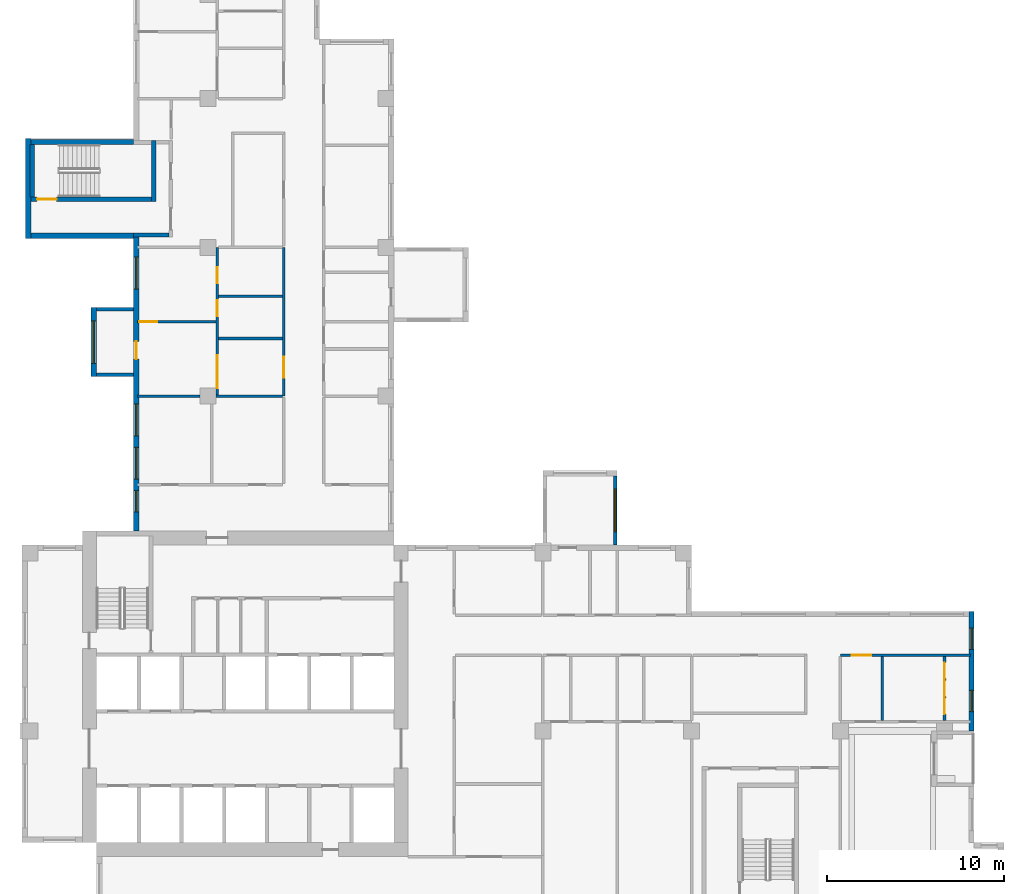
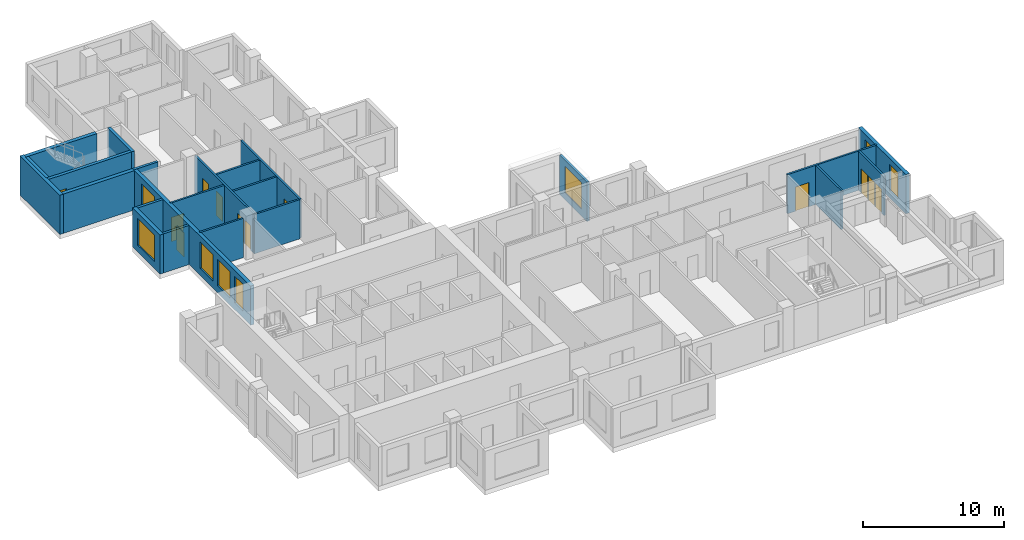
# One storey, part 6 of 12: 23 walls, 12 doors, 8 windows, 20 openings.
"""IFC4 building model written with IfcOpenShell, lengths in metres."""

from ifc_helpers import new_model, si_unit, direction, frame, frame_2d, origin, place, context, subcontext, project, spatial, rectangle, extrude, source, transform, mapped, material, layer, layer_set, type_object, element, fill, save


model = new_model("IFC4")

# Units and contexts
model_context = context("Model", 3, precision=1e-05, world=origin(), true_north=direction((0.0, 1.0)))
body_context = subcontext(model_context, "Body", "Model", "MODEL_VIEW")
ifc_project = project(units=[si_unit("LENGTHUNIT", "METRE"), si_unit("AREAUNIT", "SQUARE_METRE"), si_unit("VOLUMEUNIT", "CUBIC_METRE"), si_unit("PLANEANGLEUNIT", "RADIAN"), si_unit("MASSUNIT", "GRAM", prefix="KILO")], contexts=[model_context])

# Site, building, storey
site_placement = place(None, origin())
site = spatial("IfcSite", under=ifc_project, at=site_placement, CompositionType="ELEMENT")
building_placement = place(site_placement, origin())
building = spatial("IfcBuilding", under=site, at=building_placement, Name="Aurelian Terraces", CompositionType="ELEMENT")
storey_placement = place(building_placement, frame((0.0, 0.0, 219.6)))
storey = spatial("IfcBuildingStorey", under=building, at=storey_placement, Name="L49", CompositionType="ELEMENT", Elevation=219.6)

# Walls
ifc_material_1 = material(Name="Concrete fc' 40 MPa", Category="concrete")
ifc_layer_1 = layer(ifc_material_1, 0.3)
ifc_layer_set_1 = layer_set([ifc_layer_1], Name="STAIR BAY WALL 300")
wall_type_1 = type_object("IfcWallType", Name="STAIR BAY WALL 300", PredefinedType="SOLIDWALL", material=ifc_layer_set_1)
shared_shape_1 = source(origin(), body_context, "Body", "SweptSolid", [
    extrude(rectangle(XDim=6.1, YDim=0.3, at=frame_2d((3.05, 0.0))), origin(), (0.0, 0.0, 1.0), 3.4),
])
for number, where, z_axis, x_axis, name in (
    (1, (6.3, 43.75, 0.0), (0.0, 0.0, 1.0), (-1.0, 0.0, 0.0), "Stair bay wall L49 F13.26"),
    (2, (0.2, 38.45, 0.0), (0.0, 0.0, 1.0), (1.0, 0.0, 0.0), "Stair bay wall L49 F15.28"),
):
    element("IfcWall", number, at=place(storey_placement, frame(where, z_axis=z_axis, x_axis=x_axis)), inside=storey, type_object=wall_type_1, Name=name, PredefinedType="SOLIDWALL", context=body_context, shape_type="MappedRepresentation", body=[
        mapped(shared_shape_1, transform((0.0, 0.0, 0.0), scale=1.0)),
    ])

# Wall, opening, window
ifc_layer_2 = layer(ifc_material_1, 0.2)
ifc_layer_set_2 = layer_set([ifc_layer_2], Name="BOX BEARING WALL 200")
wall_type_2 = type_object("IfcWallType", Name="BOX BEARING WALL 200", PredefinedType="SOLIDWALL", material=ifc_layer_set_2)
shared_shape_2 = source(origin(), body_context, "Body", "SweptSolid", [
    extrude(rectangle(XDim=3.9, YDim=0.2, at=frame_2d((1.95, 0.0))), origin(), (0.0, 0.0, 1.0), 3.4),
])
wall_1_placement = place(storey_placement, frame((33.5, 21.0, 0.0), z_axis=(0.0, 0.0, 1.0), x_axis=(0.0, 1.0, 0.0)))
wall_1 = element("IfcWall", 3, at=wall_1_placement, inside=storey, type_object=wall_type_2, Name="Box return L49 J69.1", PredefinedType="SOLIDWALL", context=body_context, shape_type="MappedRepresentation", body=[
    mapped(shared_shape_2, transform((0.0, 0.0, 0.0), scale=1.0)),
])
shared_shape_3 = source(origin(), body_context, "Body", "SweptSolid", [
    extrude(rectangle(XDim=2.4, YDim=2.3, at=frame_2d((1.2, 1.15))), frame((0.0, 0.11, 0.0), z_axis=(0.0, -1.0, 0.0), x_axis=(1.0, 0.0, 0.0)), (0.0, 0.0, 1.0), 0.22),
])
opening_1_placement = place(wall_1_placement, frame((0.75, 0.0, 0.6)))
opening_1 = element("IfcOpeningElement", 4, at=opening_1_placement, cuts=wall_1, Name="Opening W2423", PredefinedType="OPENING", context=body_context, shape_type="MappedRepresentation", body=[
    mapped(shared_shape_3, transform((0.0, 0.0, 0.0), scale=1.0)),
])
ifc_material_2 = material(Name="Clear glazing", Category="glass")
window_type_1 = type_object("IfcWindowType", Name="W-2400x2300", PartitioningType="SINGLE_PANEL", PredefinedType="WINDOW", material=ifc_material_2)
shared_shape_4 = source(origin(), body_context, "Body", "SweptSolid", [
    extrude(rectangle(XDim=2.4, YDim=2.3, at=frame_2d((1.2, 1.15))), frame((0.0, 0.03, 0.0), z_axis=(0.0, -1.0, 0.0), x_axis=(1.0, 0.0, 0.0)), (0.0, 0.0, 1.0), 0.06),
])
window_1_placement = place(opening_1_placement, origin())
window_1 = element("IfcWindow", 5, at=window_1_placement, inside=storey, type_object=window_type_1, Name="Window L49 J69-S1", OverallHeight=2.3, OverallWidth=2.4, PartitioningType="SINGLE_PANEL", PredefinedType="WINDOW", context=body_context, shape_type="MappedRepresentation", body=[
    mapped(shared_shape_4, transform((0.0, 0.0, 0.0), scale=1.0)),
])
fill(opening_1, window_1)

# Wall
shared_shape_5 = source(origin(), body_context, "Body", "SweptSolid", [
    extrude(rectangle(XDim=5.65, YDim=0.3, at=frame_2d((2.825, 0.0))), origin(), (0.0, 0.0, 1.0), 3.4),
])
wall_2_placement = place(storey_placement, frame((0.35, 43.95, 0.0), z_axis=(0.0, 0.0, 1.0), x_axis=(0.0, -1.0, 0.0)))
element("IfcWall", 6, at=wall_2_placement, inside=storey, type_object=wall_type_1, Name="Stair bay wall L49 F14.27", PredefinedType="SOLIDWALL", context=body_context, shape_type="MappedRepresentation", body=[
    mapped(shared_shape_5, transform((0.0, 0.0, 0.0), scale=1.0)),
])

# Wall, openings, windows, door
ifc_material_3 = material(Name="Terracotta rainscreen cladding", Category="masonry")
ifc_layer_3 = layer(ifc_material_3, 0.3)
ifc_layer_set_3 = layer_set([ifc_layer_3], Name="EW-300")
wall_type_3 = type_object("IfcWallType", Name="EW-300", PredefinedType="STANDARD", material=ifc_layer_set_3)
shared_shape_6 = source(origin(), body_context, "Body", "SweptSolid", [
    extrude(rectangle(XDim=16.6, YDim=0.3, at=frame_2d((8.3, 0.0))), origin(), (0.0, 0.0, 1.0), 3.4),
])
wall_3_placement = place(storey_placement, frame((6.45, 38.4, 0.0), z_axis=(0.0, 0.0, 1.0), x_axis=(0.0, -1.0, 0.0)))
wall_3 = element("IfcWall", 7, at=wall_3_placement, inside=storey, type_object=wall_type_3, Name="External wall L49 F16.29", PredefinedType="STANDARD", context=body_context, shape_type="MappedRepresentation", body=[
    mapped(shared_shape_6, transform((0.0, 0.0, 0.0), scale=1.0)),
])
shared_shape_7 = source(origin(), body_context, "Body", "SweptSolid", [
    extrude(rectangle(XDim=1.8, YDim=2.3, at=frame_2d((0.9, 1.15))), frame((0.0, 0.16, 0.0), z_axis=(0.0, -1.0, 0.0), x_axis=(1.0, 0.0, 0.0)), (0.0, 0.0, 1.0), 0.32),
])
opening_2_placement = place(wall_3_placement, frame((1.15, 0.0, 0.6)))
opening_2 = element("IfcOpeningElement", 8, at=opening_2_placement, cuts=wall_3, Name="Opening W1823", PredefinedType="OPENING", context=body_context, shape_type="MappedRepresentation", body=[
    mapped(shared_shape_7, transform((0.0, 0.0, 0.0), scale=1.0)),
])
opening_3_placement = place(wall_3_placement, frame((9.4375, 0.0, 0.6)))
opening_3 = element("IfcOpeningElement", 9, at=opening_3_placement, cuts=wall_3, Name="Opening W1823", PredefinedType="OPENING", context=body_context, shape_type="MappedRepresentation", body=[
    mapped(shared_shape_7, transform((0.0, 0.0, 0.0), scale=1.0)),
])
shared_shape_8 = source(origin(), body_context, "Body", "SweptSolid", [
    extrude(rectangle(XDim=1.2, YDim=2.3, at=frame_2d((0.6, 1.15))), frame((0.0, 0.16, 0.0), z_axis=(0.0, -1.0, 0.0), x_axis=(1.0, 0.0, 0.0)), (0.0, 0.0, 1.0), 0.32),
])
opening_4_placement = place(wall_3_placement, frame((14.3375, 0.0, 0.6)))
opening_4 = element("IfcOpeningElement", 10, at=opening_4_placement, cuts=wall_3, Name="Opening W1223", PredefinedType="OPENING", context=body_context, shape_type="MappedRepresentation", body=[
    mapped(shared_shape_8, transform((0.0, 0.0, 0.0), scale=1.0)),
])
opening_5_placement = place(wall_3_placement, frame((11.8875, 0.0, 0.6)))
opening_5 = element("IfcOpeningElement", 11, at=opening_5_placement, cuts=wall_3, Name="Opening W1823", PredefinedType="OPENING", context=body_context, shape_type="MappedRepresentation", body=[
    mapped(shared_shape_7, transform((0.0, 0.0, 0.0), scale=1.0)),
])
shared_shape_9 = source(origin(), body_context, "Body", "SweptSolid", [
    extrude(rectangle(XDim=1.0, YDim=2.1, at=frame_2d((0.5, 1.05))), frame((0.0, 0.16, 0.0), z_axis=(0.0, -1.0, 0.0), x_axis=(1.0, 0.0, 0.0)), (0.0, 0.0, 1.0), 0.32),
])
opening_6_placement = place(wall_3_placement, frame((5.9083, 0.0, 0.0)))
opening_6 = element("IfcOpeningElement", 12, at=opening_6_placement, cuts=wall_3, Name="Opening 849005", PredefinedType="OPENING", context=body_context, shape_type="MappedRepresentation", body=[
    mapped(shared_shape_9, transform((0.0, 0.0, 0.0), scale=1.0)),
])
window_type_2 = type_object("IfcWindowType", Name="W-1200x2300", PartitioningType="SINGLE_PANEL", PredefinedType="WINDOW", material=ifc_material_2)
shared_shape_10 = source(origin(), body_context, "Body", "SweptSolid", [
    extrude(rectangle(XDim=1.2, YDim=2.3, at=frame_2d((0.6, 1.15))), frame((0.0, 0.03, 0.0), z_axis=(0.0, -1.0, 0.0), x_axis=(1.0, 0.0, 0.0)), (0.0, 0.0, 1.0), 0.06),
])
window_2_placement = place(opening_4_placement, origin())
window_2 = element("IfcWindow", 13, at=window_2_placement, inside=storey, type_object=window_type_2, Name="Window L49 L49-F16-29-3", OverallHeight=2.3, OverallWidth=1.2, PartitioningType="SINGLE_PANEL", PredefinedType="WINDOW", context=body_context, shape_type="MappedRepresentation", body=[
    mapped(shared_shape_10, transform((0.0, 0.0, 0.0), scale=1.0)),
])
fill(opening_4, window_2)
window_type_3 = type_object("IfcWindowType", Name="W-1800x2300", PartitioningType="SINGLE_PANEL", PredefinedType="WINDOW", material=ifc_material_2)
shared_shape_11 = source(origin(), body_context, "Body", "SweptSolid", [
    extrude(rectangle(XDim=1.8, YDim=2.3, at=frame_2d((0.9, 1.15))), frame((0.0, 0.03, 0.0), z_axis=(0.0, -1.0, 0.0), x_axis=(1.0, 0.0, 0.0)), (0.0, 0.0, 1.0), 0.06),
])
window_3_placement = place(opening_2_placement, origin())
window_3 = element("IfcWindow", 14, at=window_3_placement, inside=storey, type_object=window_type_3, Name="Window L49 L49-F16-29-0", OverallHeight=2.3, OverallWidth=1.8, PartitioningType="SINGLE_PANEL", PredefinedType="WINDOW", context=body_context, shape_type="MappedRepresentation", body=[
    mapped(shared_shape_11, transform((0.0, 0.0, 0.0), scale=1.0)),
])
fill(opening_2, window_3)
window_4_placement = place(opening_3_placement, origin())
window_4 = element("IfcWindow", 15, at=window_4_placement, inside=storey, type_object=window_type_3, Name="Window L49 L49-F16-29-2", OverallHeight=2.3, OverallWidth=1.8, PartitioningType="SINGLE_PANEL", PredefinedType="WINDOW", context=body_context, shape_type="MappedRepresentation", body=[
    mapped(shared_shape_11, transform((0.0, 0.0, 0.0), scale=1.0)),
])
fill(opening_3, window_4)
window_5_placement = place(opening_5_placement, origin())
window_5 = element("IfcWindow", 16, at=window_5_placement, inside=storey, type_object=window_type_3, Name="Window L49 L49-F16-29-G0-111", OverallHeight=2.3, OverallWidth=1.8, PartitioningType="SINGLE_PANEL", PredefinedType="WINDOW", context=body_context, shape_type="MappedRepresentation", body=[
    mapped(shared_shape_11, transform((0.0, 0.0, 0.0), scale=1.0)),
])
fill(opening_5, window_5)
ifc_material_4 = material(Name="Timber door leaf", Category="wood")
door_type_1 = type_object("IfcDoorType", Name="Room door 1000x2100 left", OperationType="SINGLE_SWING_LEFT", PredefinedType="DOOR", material=ifc_material_4)
shared_shape_12 = source(origin(), body_context, "Body", "SweptSolid", [
    extrude(rectangle(XDim=1.0, YDim=2.1, at=frame_2d((0.5, 1.05))), frame((0.0, 0.025, 0.0), z_axis=(0.0, -1.0, 0.0), x_axis=(1.0, 0.0, 0.0)), (0.0, 0.0, 1.0), 0.05),
])
door_1_placement = place(opening_6_placement, origin())
door_1 = element("IfcDoor", 17, at=door_1_placement, inside=storey, type_object=door_type_1, Name="Door 849005", OperationType="SINGLE_SWING_LEFT", OverallHeight=2.1, OverallWidth=1.0, PredefinedType="DOOR", context=body_context, shape_type="MappedRepresentation", body=[
    mapped(shared_shape_12, transform((0.0, 0.0, 0.0), scale=1.0)),
])
fill(opening_6, door_1)

# Walls
shared_shape_13 = source(origin(), body_context, "Body", "SweptSolid", [
    extrude(rectangle(XDim=2.1, YDim=0.2, at=frame_2d((1.05, 0.0))), origin(), (0.0, 0.0, 1.0), 3.39),
])
for number, where, z_axis, x_axis, name in (
    (18, (6.3, 34.3, 0.0), (0.0, 0.0, 1.0), (-1.0, 0.0, 0.0), "Box return L49 J73.1"),
    (19, (6.3, 30.6, 0.0), (0.0, 0.0, 1.0), (-1.0, 0.0, 0.0), "Box return L49 J73.2"),
):
    element("IfcWall", number, at=place(storey_placement, frame(where, z_axis=z_axis, x_axis=x_axis)), inside=storey, type_object=wall_type_2, Name=name, PredefinedType="SOLIDWALL", context=body_context, shape_type="MappedRepresentation", body=[
        mapped(shared_shape_13, transform((0.0, 0.0, 0.0), scale=1.0)),
    ])

# Wall, openings, windows
shared_shape_14 = source(origin(), body_context, "Body", "SweptSolid", [
    extrude(rectangle(XDim=6.75, YDim=0.3, at=frame_2d((3.375, 0.0))), origin(), (0.0, 0.0, 1.0), 3.4),
])
wall_4_placement = place(storey_placement, frame((53.61, 10.5, 0.0), z_axis=(0.0, 0.0, 1.0), x_axis=(0.0, 1.0, 0.0)))
wall_4 = element("IfcWall", 20, at=wall_4_placement, inside=storey, type_object=wall_type_3, Name="External wall L49 F04.12", PredefinedType="STANDARD", context=body_context, shape_type="MappedRepresentation", body=[
    mapped(shared_shape_14, transform((0.0, 0.0, 0.0), scale=1.0)),
])
opening_7_placement = place(wall_4_placement, frame((1.0875, 0.0, 0.6)))
opening_7 = element("IfcOpeningElement", 21, at=opening_7_placement, cuts=wall_4, Name="Opening W1223", PredefinedType="OPENING", context=body_context, shape_type="MappedRepresentation", body=[
    mapped(shared_shape_8, transform((0.0, 0.0, 0.0), scale=1.0)),
])
opening_8_placement = place(wall_4_placement, frame((4.6063, 0.0, 0.6)))
opening_8 = element("IfcOpeningElement", 22, at=opening_8_placement, cuts=wall_4, Name="Opening W1223", PredefinedType="OPENING", context=body_context, shape_type="MappedRepresentation", body=[
    mapped(shared_shape_8, transform((0.0, 0.0, 0.0), scale=1.0)),
])
window_6_placement = place(opening_7_placement, origin())
window_6 = element("IfcWindow", 23, at=window_6_placement, inside=storey, type_object=window_type_2, Name="Window L49 L49-F04-12-0", OverallHeight=2.3, OverallWidth=1.2, PartitioningType="SINGLE_PANEL", PredefinedType="WINDOW", context=body_context, shape_type="MappedRepresentation", body=[
    mapped(shared_shape_10, transform((0.0, 0.0, 0.0), scale=1.0)),
])
fill(opening_7, window_6)
window_7_placement = place(opening_8_placement, origin())
window_7 = element("IfcWindow", 24, at=window_7_placement, inside=storey, type_object=window_type_2, Name="Window L49 L49-F04-12-1", OverallHeight=2.3, OverallWidth=1.2, PartitioningType="SINGLE_PANEL", PredefinedType="WINDOW", context=body_context, shape_type="MappedRepresentation", body=[
    mapped(shared_shape_10, transform((0.0, 0.0, 0.0), scale=1.0)),
])
fill(opening_8, window_7)

# Wall, opening, window
ifc_layer_4 = layer(ifc_material_1, 0.3)
ifc_layer_set_4 = layer_set([ifc_layer_4], Name="BOX BEARING WALL 300")
wall_type_4 = type_object("IfcWallType", Name="BOX BEARING WALL 300", PredefinedType="SOLIDWALL", material=ifc_layer_set_4)
shared_shape_15 = source(origin(), body_context, "Body", "SweptSolid", [
    extrude(rectangle(XDim=3.9, YDim=0.3, at=frame_2d((1.95, 0.0))), origin(), (0.0, 0.0, 1.0), 3.39),
])
wall_5_placement = place(storey_placement, frame((4.05, 34.4, 0.0), z_axis=(0.0, 0.0, 1.0), x_axis=(0.0, -1.0, 0.0)))
wall_5 = element("IfcWall", 25, at=wall_5_placement, inside=storey, type_object=wall_type_4, Name="Box wall L49 J73", PredefinedType="SOLIDWALL", context=body_context, shape_type="MappedRepresentation", body=[
    mapped(shared_shape_15, transform((0.0, 0.0, 0.0), scale=1.0)),
])
shared_shape_16 = source(origin(), body_context, "Body", "SweptSolid", [
    extrude(rectangle(XDim=2.4, YDim=2.3, at=frame_2d((1.2, 1.15))), frame((0.0, 0.16, 0.0), z_axis=(0.0, -1.0, 0.0), x_axis=(1.0, 0.0, 0.0)), (0.0, 0.0, 1.0), 0.32),
])
opening_9_placement = place(wall_5_placement, frame((0.75, 0.0, 0.6)))
opening_9 = element("IfcOpeningElement", 26, at=opening_9_placement, cuts=wall_5, Name="Opening W2423", PredefinedType="OPENING", context=body_context, shape_type="MappedRepresentation", body=[
    mapped(shared_shape_16, transform((0.0, 0.0, 0.0), scale=1.0)),
])
window_8_placement = place(opening_9_placement, origin())
window_8 = element("IfcWindow", 27, at=window_8_placement, inside=storey, type_object=window_type_1, Name="Window L49 J73-F1", OverallHeight=2.3, OverallWidth=2.4, PartitioningType="SINGLE_PANEL", PredefinedType="WINDOW", context=body_context, shape_type="MappedRepresentation", body=[
    mapped(shared_shape_4, transform((0.0, 0.0, 0.0), scale=1.0)),
])
fill(opening_9, window_8)

# Wall, opening, door
ifc_layer_5 = layer(ifc_material_1, 0.25)
ifc_layer_set_5 = layer_set([ifc_layer_5], Name="Stair enclosure wall 250")
wall_type_5 = type_object("IfcWallType", Name="Stair enclosure wall 250", PredefinedType="SOLIDWALL", material=ifc_layer_set_5)
shared_shape_17 = source(origin(), body_context, "Body", "SweptSolid", [
    extrude(rectangle(XDim=7.0, YDim=0.25, at=frame_2d((3.5, 0.0))), origin(), (0.0, 0.0, 1.0), 3.4),
])
wall_6_placement = place(storey_placement, frame((0.3, 40.525, 0.0), z_axis=(0.0, 0.0, 1.0), x_axis=(1.0, 0.0, 0.0)))
wall_6 = element("IfcWall", 28, at=wall_6_placement, inside=storey, type_object=wall_type_5, Name="L49 core wall ST-S3-W", PredefinedType="SOLIDWALL", context=body_context, shape_type="MappedRepresentation", body=[
    mapped(shared_shape_17, transform((0.0, 0.0, 0.0), scale=1.0)),
])
shared_shape_18 = source(origin(), body_context, "Body", "SweptSolid", [
    extrude(rectangle(XDim=1.1, YDim=2.1, at=frame_2d((0.55, 1.05))), frame((0.0, 0.135, 0.0), z_axis=(0.0, -1.0, 0.0), x_axis=(1.0, 0.0, 0.0)), (0.0, 0.0, 1.0), 0.27),
])
opening_10_placement = place(wall_6_placement, frame((0.55, 0.0, 0.0)))
opening_10 = element("IfcOpeningElement", 29, at=opening_10_placement, cuts=wall_6, Name="Opening 65220", PredefinedType="OPENING", context=body_context, shape_type="MappedRepresentation", body=[
    mapped(shared_shape_18, transform((0.0, 0.0, 0.0), scale=1.0)),
])
ifc_material_5 = material(Name="Steel door leaf", Category="steel")
door_type_2 = type_object("IfcDoorType", Name="Core fire door 1100x2100", OperationType="SINGLE_SWING_LEFT", PredefinedType="DOOR", material=ifc_material_5)
shared_shape_19 = source(origin(), body_context, "Body", "SweptSolid", [
    extrude(rectangle(XDim=1.1, YDim=2.1, at=frame_2d((0.55, 1.05))), frame((0.0, 0.025, 0.0), z_axis=(0.0, -1.0, 0.0), x_axis=(1.0, 0.0, 0.0)), (0.0, 0.0, 1.0), 0.05),
])
door_2_placement = place(opening_10_placement, origin())
door_2 = element("IfcDoor", 30, at=door_2_placement, inside=storey, type_object=door_type_2, Name="Stair door 65220", OperationType="SINGLE_SWING_LEFT", OverallHeight=2.1, OverallWidth=1.1, PredefinedType="DOOR", context=body_context, shape_type="MappedRepresentation", body=[
    mapped(shared_shape_19, transform((0.0, 0.0, 0.0), scale=1.0)),
])
fill(opening_10, door_2)

# Walls
shared_shape_20 = source(origin(), body_context, "Body", "SweptSolid", [
    extrude(rectangle(XDim=3.45, YDim=0.25, at=frame_2d((1.725, 0.0))), origin(), (0.0, 0.0, 1.0), 3.4),
])
wall_7_placement = place(storey_placement, frame((7.425, 40.4, 0.0), z_axis=(0.0, 0.0, 1.0), x_axis=(0.0, 1.0, 0.0)))
element("IfcWall", 31, at=wall_7_placement, inside=storey, type_object=wall_type_5, Name="L49 core wall ST-S3-N", PredefinedType="SOLIDWALL", context=body_context, shape_type="MappedRepresentation", body=[
    mapped(shared_shape_20, transform((0.0, 0.0, 0.0), scale=1.0)),
])
shared_shape_21 = source(origin(), body_context, "Body", "SweptSolid", [
    extrude(rectangle(XDim=2.95, YDim=0.25, at=frame_2d((1.475, 0.0))), origin(), (0.0, 0.0, 1.0), 3.4),
])
wall_8_placement = place(storey_placement, frame((0.575, 40.65, 0.0), z_axis=(0.0, 0.0, 1.0), x_axis=(0.0, 1.0, 0.0)))
element("IfcWall", 32, at=wall_8_placement, inside=storey, type_object=wall_type_5, Name="L49 core wall ST-S3-SS", PredefinedType="SOLIDWALL", context=body_context, shape_type="MappedRepresentation", body=[
    mapped(shared_shape_21, transform((0.0, 0.0, 0.0), scale=1.0)),
])
ifc_material_6 = material(Name="Gypsum board on steel studs", Category="steel")
ifc_layer_6 = layer(ifc_material_6, 0.2)
ifc_layer_set_6 = layer_set([ifc_layer_6], Name="Core partition 200")
wall_type_6 = type_object("IfcWallType", Name="Core partition 200", PredefinedType="PARTITIONING", material=ifc_layer_set_6)
shared_shape_22 = source(origin(), body_context, "Body", "SweptSolid", [
    extrude(rectangle(XDim=2.0, YDim=0.2, at=frame_2d((1.0, 0.0))), origin(), (0.0, 0.0, 1.0), 3.4),
])
wall_9_placement = place(storey_placement, frame((6.3, 38.5, 0.0), z_axis=(0.0, 0.0, 1.0), x_axis=(1.0, 0.0, 0.0)))
element("IfcWall", 33, at=wall_9_placement, inside=storey, type_object=wall_type_6, Name="L49 core wall ST-S3-VW", PredefinedType="PARTITIONING", context=body_context, shape_type="MappedRepresentation", body=[
    mapped(shared_shape_22, transform((0.0, 0.0, 0.0), scale=1.0)),
])
ifc_layer_7 = layer(ifc_material_6, 0.15)
ifc_layer_set_7 = layer_set([ifc_layer_7], Name="Partition 150")
wall_type_7 = type_object("IfcWallType", Name="Partition 150", PredefinedType="PARTITIONING", material=ifc_layer_set_7)
shared_shape_23 = source(origin(), body_context, "Body", "SweptSolid", [
    extrude(rectangle(XDim=3.6, YDim=0.15, at=frame_2d((1.8, 0.0))), origin(), (0.0, 0.0, 1.0), 3.4),
])
wall_10_placement = place(storey_placement, frame((48.5744, 11.1, 0.0), z_axis=(0.0, 0.0, 1.0), x_axis=(0.0, 1.0, 0.0)))
element("IfcWall", 34, at=wall_10_placement, inside=storey, type_object=wall_type_7, Name="Partition", PredefinedType="PARTITIONING", context=body_context, shape_type="MappedRepresentation", body=[
    mapped(shared_shape_23, transform((0.0, 0.0, 0.0), scale=1.0)),
])

# Wall, openings, doors
wall_11_placement = place(storey_placement, frame((52.08, 11.1, 0.0), z_axis=(0.0, 0.0, 1.0), x_axis=(0.0, 1.0, 0.0)))
wall_11 = element("IfcWall", 35, at=wall_11_placement, inside=storey, type_object=wall_type_7, Name="Partition", PredefinedType="PARTITIONING", context=body_context, shape_type="MappedRepresentation", body=[
    mapped(shared_shape_23, transform((0.0, 0.0, 0.0), scale=1.0)),
])
shared_shape_24 = source(origin(), body_context, "Body", "SweptSolid", [
    extrude(rectangle(XDim=0.9, YDim=2.1, at=frame_2d((0.45, 1.05))), frame((0.0, 0.085, 0.0), z_axis=(0.0, -1.0, 0.0), x_axis=(1.0, 0.0, 0.0)), (0.0, 0.0, 1.0), 0.17),
])
opening_11_placement = place(wall_11_placement, frame((1.35, 0.0, 0.0)))
opening_11 = element("IfcOpeningElement", 36, at=opening_11_placement, cuts=wall_11, Name="Opening 749042", PredefinedType="OPENING", context=body_context, shape_type="MappedRepresentation", body=[
    mapped(shared_shape_24, transform((0.0, 0.0, 0.0), scale=1.0)),
])
opening_12_placement = place(wall_11_placement, frame((2.35, 0.0, 0.0)))
opening_12 = element("IfcOpeningElement", 37, at=opening_12_placement, cuts=wall_11, Name="Opening 749044", PredefinedType="OPENING", context=body_context, shape_type="MappedRepresentation", body=[
    mapped(shared_shape_24, transform((0.0, 0.0, 0.0), scale=1.0)),
])
opening_13_placement = place(wall_11_placement, frame((0.35, 0.0, 0.0)))
opening_13 = element("IfcOpeningElement", 38, at=opening_13_placement, cuts=wall_11, Name="Opening 749046", PredefinedType="OPENING", context=body_context, shape_type="MappedRepresentation", body=[
    mapped(shared_shape_24, transform((0.0, 0.0, 0.0), scale=1.0)),
])
door_type_3 = type_object("IfcDoorType", Name="Room door 900x2100 left", OperationType="SINGLE_SWING_LEFT", PredefinedType="DOOR", material=ifc_material_4)
shared_shape_25 = source(origin(), body_context, "Body", "SweptSolid", [
    extrude(rectangle(XDim=0.9, YDim=2.1, at=frame_2d((0.45, 1.05))), frame((0.0, 0.025, 0.0), z_axis=(0.0, -1.0, 0.0), x_axis=(1.0, 0.0, 0.0)), (0.0, 0.0, 1.0), 0.05),
])
door_3_placement = place(opening_11_placement, origin())
door_3 = element("IfcDoor", 39, at=door_3_placement, inside=storey, type_object=door_type_3, Name="Door 749042", OperationType="SINGLE_SWING_LEFT", OverallHeight=2.1, OverallWidth=0.9, PredefinedType="DOOR", context=body_context, shape_type="MappedRepresentation", body=[
    mapped(shared_shape_25, transform((0.0, 0.0, 0.0), scale=1.0)),
])
fill(opening_11, door_3)
door_type_4 = type_object("IfcDoorType", Name="Entrance fire door 900x2100 left", OperationType="SINGLE_SWING_LEFT", PredefinedType="DOOR", material=ifc_material_5)
door_4_placement = place(opening_12_placement, origin())
door_4 = element("IfcDoor", 40, at=door_4_placement, inside=storey, type_object=door_type_4, Name="Door 749044", OperationType="SINGLE_SWING_LEFT", OverallHeight=2.1, OverallWidth=0.9, PredefinedType="DOOR", context=body_context, shape_type="MappedRepresentation", body=[
    mapped(shared_shape_25, transform((0.0, 0.0, 0.0), scale=1.0)),
])
fill(opening_12, door_4)
door_5_placement = place(opening_13_placement, origin())
door_5 = element("IfcDoor", 41, at=door_5_placement, inside=storey, type_object=door_type_4, Name="Door 749046", OperationType="SINGLE_SWING_LEFT", OverallHeight=2.1, OverallWidth=0.9, PredefinedType="DOOR", context=body_context, shape_type="MappedRepresentation", body=[
    mapped(shared_shape_25, transform((0.0, 0.0, 0.0), scale=1.0)),
])
fill(opening_13, door_5)

# Walls
for number, where, z_axis, x_axis, name in (
    (42, (14.7, 32.6603, 0.0), (0.0, 0.0, 1.0), (-1.0, 0.0, 0.0), "Partition"),
    (43, (14.7, 35.0493, 0.0), (0.0, 0.0, 1.0), (-1.0, 0.0, 0.0), "Partition"),
):
    element("IfcWall", number, at=place(storey_placement, frame(where, z_axis=z_axis, x_axis=x_axis)), inside=storey, type_object=wall_type_7, Name=name, PredefinedType="PARTITIONING", context=body_context, shape_type="MappedRepresentation", body=[
        mapped(shared_shape_23, transform((0.0, 0.0, 0.0), scale=1.0)),
    ])

# Wall, openings, doors
shared_shape_26 = source(origin(), body_context, "Body", "SweptSolid", [
    extrude(rectangle(XDim=8.4, YDim=0.15, at=frame_2d((4.2, 0.0))), origin(), (0.0, 0.0, 1.0), 3.4),
])
wall_12_placement = place(storey_placement, frame((11.025, 29.4, 0.0), z_axis=(0.0, 0.0, 1.0), x_axis=(0.0, 1.0, 0.0)))
wall_12 = element("IfcWall", 44, at=wall_12_placement, inside=storey, type_object=wall_type_7, Name="Partition", PredefinedType="PARTITIONING", context=body_context, shape_type="MappedRepresentation", body=[
    mapped(shared_shape_26, transform((0.0, 0.0, 0.0), scale=1.0)),
])
opening_14_placement = place(wall_12_placement, frame((1.418, 0.0, 0.0)))
opening_14 = element("IfcOpeningElement", 45, at=opening_14_placement, cuts=wall_12, Name="Opening 749025", PredefinedType="OPENING", context=body_context, shape_type="MappedRepresentation", body=[
    mapped(shared_shape_24, transform((0.0, 0.0, 0.0), scale=1.0)),
])
opening_15_placement = place(wall_12_placement, frame((0.46, 0.0, 0.0)))
opening_15 = element("IfcOpeningElement", 46, at=opening_15_placement, cuts=wall_12, Name="Opening 749026", PredefinedType="OPENING", context=body_context, shape_type="MappedRepresentation", body=[
    mapped(shared_shape_24, transform((0.0, 0.0, 0.0), scale=1.0)),
])
opening_16_placement = place(wall_12_placement, frame((4.5247, 0.0, 0.0)))
opening_16 = element("IfcOpeningElement", 47, at=opening_16_placement, cuts=wall_12, Name="Opening 749028", PredefinedType="OPENING", context=body_context, shape_type="MappedRepresentation", body=[
    mapped(shared_shape_24, transform((0.0, 0.0, 0.0), scale=1.0)),
])
opening_17_placement = place(wall_12_placement, frame((6.3872, 0.0, 0.0)))
opening_17 = element("IfcOpeningElement", 48, at=opening_17_placement, cuts=wall_12, Name="Opening 749029", PredefinedType="OPENING", context=body_context, shape_type="MappedRepresentation", body=[
    mapped(shared_shape_24, transform((0.0, 0.0, 0.0), scale=1.0)),
])
door_type_5 = type_object("IfcDoorType", Name="Room door 900x2100 right", OperationType="SINGLE_SWING_RIGHT", PredefinedType="DOOR", material=ifc_material_4)
door_6_placement = place(opening_14_placement, origin())
door_6 = element("IfcDoor", 49, at=door_6_placement, inside=storey, type_object=door_type_5, Name="Door 749025", OperationType="SINGLE_SWING_RIGHT", OverallHeight=2.1, OverallWidth=0.9, PredefinedType="DOOR", context=body_context, shape_type="MappedRepresentation", body=[
    mapped(shared_shape_25, transform((0.0, 0.0, 0.0), scale=1.0)),
])
fill(opening_14, door_6)
door_7_placement = place(opening_15_placement, origin())
door_7 = element("IfcDoor", 50, at=door_7_placement, inside=storey, type_object=door_type_3, Name="Door 749026", OperationType="SINGLE_SWING_LEFT", OverallHeight=2.1, OverallWidth=0.9, PredefinedType="DOOR", context=body_context, shape_type="MappedRepresentation", body=[
    mapped(shared_shape_25, transform((0.0, 0.0, 0.0), scale=1.0)),
])
fill(opening_15, door_7)
door_8_placement = place(opening_16_placement, origin())
door_8 = element("IfcDoor", 51, at=door_8_placement, inside=storey, type_object=door_type_3, Name="Door 749028", OperationType="SINGLE_SWING_LEFT", OverallHeight=2.1, OverallWidth=0.9, PredefinedType="DOOR", context=body_context, shape_type="MappedRepresentation", body=[
    mapped(shared_shape_25, transform((0.0, 0.0, 0.0), scale=1.0)),
])
fill(opening_16, door_8)
door_9_placement = place(opening_17_placement, origin())
door_9 = element("IfcDoor", 52, at=door_9_placement, inside=storey, type_object=door_type_5, Name="Door 749029", OperationType="SINGLE_SWING_RIGHT", OverallHeight=2.1, OverallWidth=0.9, PredefinedType="DOOR", context=body_context, shape_type="MappedRepresentation", body=[
    mapped(shared_shape_25, transform((0.0, 0.0, 0.0), scale=1.0)),
])
fill(opening_17, door_9)

# Wall, opening, door
ifc_layer_8 = layer(ifc_material_6, 0.15)
ifc_layer_set_8 = layer_set([ifc_layer_8], Name="Fire partition 150")
wall_type_8 = type_object("IfcWallType", Name="Fire partition 150", PredefinedType="PARTITIONING", material=ifc_layer_set_8)
wall_13_placement = place(storey_placement, frame((14.775, 29.4, 0.0), z_axis=(0.0, 0.0, 1.0), x_axis=(0.0, 1.0, 0.0)))
wall_13 = element("IfcWall", 53, at=wall_13_placement, inside=storey, type_object=wall_type_8, Name="Corridor wall", PredefinedType="PARTITIONING", context=body_context, shape_type="MappedRepresentation", body=[
    mapped(shared_shape_26, transform((0.0, 0.0, 0.0), scale=1.0)),
])
shared_shape_27 = source(origin(), body_context, "Body", "SweptSolid", [
    extrude(rectangle(XDim=1.2, YDim=2.1, at=frame_2d((0.6, 1.05))), frame((0.0, 0.085, 0.0), z_axis=(0.0, -1.0, 0.0), x_axis=(1.0, 0.0, 0.0)), (0.0, 0.0, 1.0), 0.17),
])
opening_18_placement = place(wall_13_placement, frame((1.0302, 0.0, 0.0)))
opening_18 = element("IfcOpeningElement", 54, at=opening_18_placement, cuts=wall_13, Name="Opening 749024", PredefinedType="OPENING", context=body_context, shape_type="MappedRepresentation", body=[
    mapped(shared_shape_27, transform((0.0, 0.0, 0.0), scale=1.0)),
])
door_type_6 = type_object("IfcDoorType", Name="Entrance fire door 1200x2100 left", OperationType="SINGLE_SWING_LEFT", PredefinedType="DOOR", material=ifc_material_5)
shared_shape_28 = source(origin(), body_context, "Body", "SweptSolid", [
    extrude(rectangle(XDim=1.2, YDim=2.1, at=frame_2d((0.6, 1.05))), frame((0.0, 0.025, 0.0), z_axis=(0.0, -1.0, 0.0), x_axis=(1.0, 0.0, 0.0)), (0.0, 0.0, 1.0), 0.05),
])
door_10_placement = place(opening_18_placement, origin())
door_10 = element("IfcDoor", 55, at=door_10_placement, inside=storey, type_object=door_type_6, Name="Door 749024", OperationType="SINGLE_SWING_LEFT", OverallHeight=2.1, OverallWidth=1.2, PredefinedType="DOOR", context=body_context, shape_type="MappedRepresentation", body=[
    mapped(shared_shape_28, transform((0.0, 0.0, 0.0), scale=1.0)),
])
fill(opening_18, door_10)

# Wall
shared_shape_29 = source(origin(), body_context, "Body", "SweptSolid", [
    extrude(rectangle(XDim=3.546, YDim=0.15, at=frame_2d((1.773, 0.0))), origin(), (0.0, 0.0, 1.0), 3.4),
])
wall_14_placement = place(storey_placement, frame((10.051, 29.4, 0.0), z_axis=(0.0, 0.0, 1.0), x_axis=(-1.0, 0.0, 0.0)))
element("IfcWall", 56, at=wall_14_placement, inside=storey, type_object=wall_type_7, Name="Partition", PredefinedType="PARTITIONING", context=body_context, shape_type="MappedRepresentation", body=[
    mapped(shared_shape_29, transform((0.0, 0.0, 0.0), scale=1.0)),
])

# Wall, opening, door
shared_shape_30 = source(origin(), body_context, "Body", "SweptSolid", [
    extrude(rectangle(XDim=4.445, YDim=0.15, at=frame_2d((2.2225, 0.0))), origin(), (0.0, 0.0, 1.0), 3.4),
])
wall_15_placement = place(storey_placement, frame((10.95, 33.6, 0.0), z_axis=(0.0, 0.0, 1.0), x_axis=(-1.0, 0.0, 0.0)))
wall_15 = element("IfcWall", 57, at=wall_15_placement, inside=storey, type_object=wall_type_7, Name="Partition", PredefinedType="PARTITIONING", context=body_context, shape_type="MappedRepresentation", body=[
    mapped(shared_shape_30, transform((0.0, 0.0, 0.0), scale=1.0)),
])
shared_shape_31 = source(origin(), body_context, "Body", "SweptSolid", [
    extrude(rectangle(XDim=1.0, YDim=2.1, at=frame_2d((0.5, 1.05))), frame((0.0, 0.085, 0.0), z_axis=(0.0, -1.0, 0.0), x_axis=(1.0, 0.0, 0.0)), (0.0, 0.0, 1.0), 0.17),
])
opening_19_placement = place(wall_15_placement, frame((3.325, 0.0, 0.0)))
opening_19 = element("IfcOpeningElement", 58, at=opening_19_placement, cuts=wall_15, Name="Opening 749027", PredefinedType="OPENING", context=body_context, shape_type="MappedRepresentation", body=[
    mapped(shared_shape_31, transform((0.0, 0.0, 0.0), scale=1.0)),
])
door_type_7 = type_object("IfcDoorType", Name="Room door 1000x2100 right", OperationType="SINGLE_SWING_RIGHT", PredefinedType="DOOR", material=ifc_material_4)
door_11_placement = place(opening_19_placement, origin())
door_11 = element("IfcDoor", 59, at=door_11_placement, inside=storey, type_object=door_type_7, Name="Door 749027", OperationType="SINGLE_SWING_RIGHT", OverallHeight=2.1, OverallWidth=1.0, PredefinedType="DOOR", context=body_context, shape_type="MappedRepresentation", body=[
    mapped(shared_shape_12, transform((0.0, 0.0, 0.0), scale=1.0)),
])
fill(opening_19, door_11)

# Wall
shared_shape_32 = source(origin(), body_context, "Body", "SweptSolid", [
    extrude(rectangle(XDim=3.751, YDim=0.15, at=frame_2d((1.8755, 0.0))), origin(), (0.0, 0.0, 1.0), 3.4),
])
wall_16_placement = place(storey_placement, frame((14.7, 29.4, 0.0), z_axis=(0.0, 0.0, 1.0), x_axis=(-1.0, 0.0, 0.0)))
element("IfcWall", 60, at=wall_16_placement, inside=storey, type_object=wall_type_7, Name="Partition", PredefinedType="PARTITIONING", context=body_context, shape_type="MappedRepresentation", body=[
    mapped(shared_shape_32, transform((0.0, 0.0, 0.0), scale=1.0)),
])

# Wall, opening, door
shared_shape_33 = source(origin(), body_context, "Body", "SweptSolid", [
    extrude(rectangle(XDim=7.355, YDim=0.15, at=frame_2d((3.6775, 0.0))), origin(), (0.0, 0.0, 1.0), 3.4),
])
wall_17_placement = place(storey_placement, frame((53.555, 14.775, 0.0), z_axis=(0.0, 0.0, 1.0), x_axis=(-1.0, 0.0, 0.0)))
wall_17 = element("IfcWall", 61, at=wall_17_placement, inside=storey, type_object=wall_type_8, Name="Corridor wall", PredefinedType="PARTITIONING", context=body_context, shape_type="MappedRepresentation", body=[
    mapped(shared_shape_33, transform((0.0, 0.0, 0.0), scale=1.0)),
])
shared_shape_34 = source(origin(), body_context, "Body", "SweptSolid", [
    extrude(rectangle(XDim=1.1, YDim=2.1, at=frame_2d((0.55, 1.05))), frame((0.0, 0.085, 0.0), z_axis=(0.0, -1.0, 0.0), x_axis=(1.0, 0.0, 0.0)), (0.0, 0.0, 1.0), 0.17),
])
opening_20_placement = place(wall_17_placement, frame((5.6178, 0.0, 0.0)))
opening_20 = element("IfcOpeningElement", 62, at=opening_20_placement, cuts=wall_17, Name="Opening 749013", PredefinedType="OPENING", context=body_context, shape_type="MappedRepresentation", body=[
    mapped(shared_shape_34, transform((0.0, 0.0, 0.0), scale=1.0)),
])
door_type_8 = type_object("IfcDoorType", Name="Entrance fire door 1100x2100 left", OperationType="SINGLE_SWING_LEFT", PredefinedType="DOOR", material=ifc_material_5)
door_12_placement = place(opening_20_placement, origin())
door_12 = element("IfcDoor", 63, at=door_12_placement, inside=storey, type_object=door_type_8, Name="Door 749013", OperationType="SINGLE_SWING_LEFT", OverallHeight=2.1, OverallWidth=1.1, PredefinedType="DOOR", context=body_context, shape_type="MappedRepresentation", body=[
    mapped(shared_shape_19, transform((0.0, 0.0, 0.0), scale=1.0)),
])
fill(opening_20, door_12)

save(model, "model.ifc")
